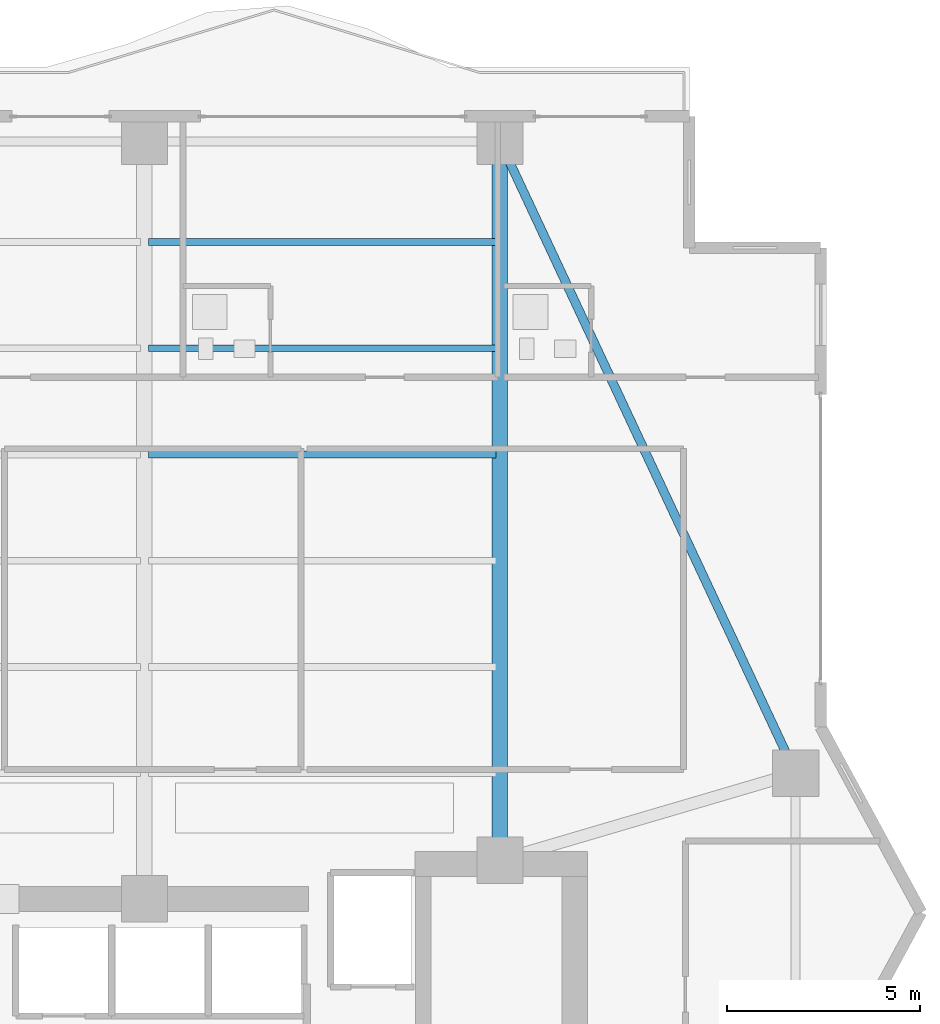
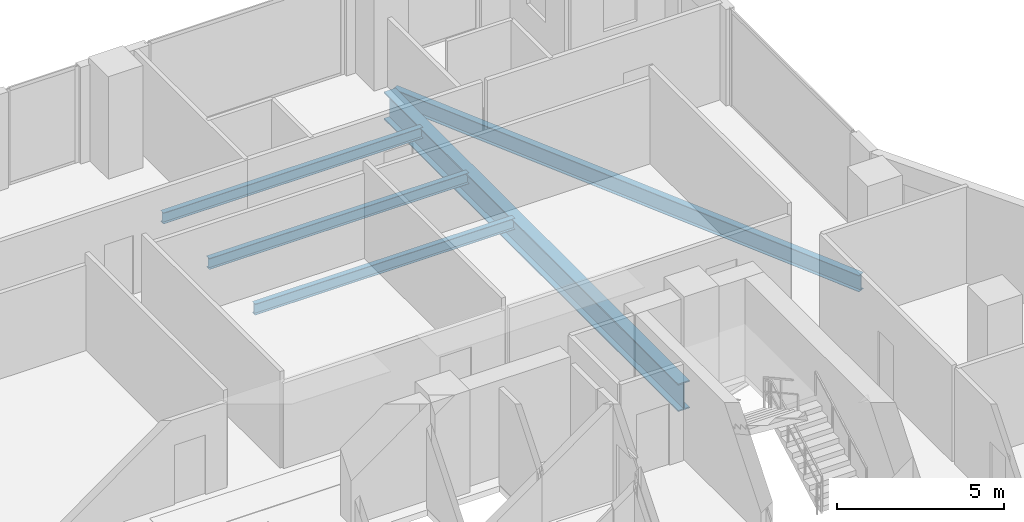
# One storey, part 20 of 32: 5 beams.
"""IFC4 building model written with IfcOpenShell, lengths in metres."""

from ifc_helpers import new_model, si_unit, direction, frame, origin, origin_2d, place, context, subcontext, project, spatial, i_section, extrude, material, material_profile, profile_set, type_object, element, save


model = new_model("IFC4")

# Units and contexts
model_context = context("Model", 3, precision=1e-05, world=origin(), true_north=direction((0.0, 1.0)))
body_context = subcontext(model_context, "Body", "Model", "MODEL_VIEW")
ifc_project = project(units=[si_unit("LENGTHUNIT", "METRE"), si_unit("AREAUNIT", "SQUARE_METRE"), si_unit("VOLUMEUNIT", "CUBIC_METRE"), si_unit("PLANEANGLEUNIT", "RADIAN"), si_unit("MASSUNIT", "GRAM", prefix="KILO")], contexts=[model_context])

# Site, building, storey
site_placement = place(None, origin())
site = spatial("IfcSite", under=ifc_project, at=site_placement, CompositionType="ELEMENT")
building_placement = place(site_placement, origin())
building = spatial("IfcBuilding", under=site, at=building_placement, Name="Zuhayl Quay Hotel", CompositionType="ELEMENT")
storey_placement = place(building_placement, frame((0.0, 0.0, 192.39990234375)))
storey = spatial("IfcBuildingStorey", under=building, at=storey_placement, Name="L48", CompositionType="ELEMENT", Elevation=192.39990234375)

# Beams
ifc_material = material(Name="Steel ASTM A992 Grade 50", Category="steel")
ifc_material_profile_1 = material_profile(ifc_material, i_section(OverallWidth=0.22802734375, OverallDepth=0.60693359375, WebThickness=0.01123046875, FlangeThickness=0.017333984375, at=origin_2d()), Name="W24X76")
ifc_profile_set_1 = profile_set([ifc_material_profile_1], Name="Steel ASTM A992 Grade 50")
beam_type_1 = type_object("IfcBeamType", Name="BM_B3_W24X76", PredefinedType="BEAM", material=ifc_profile_set_1)
beam_1_placement = place(storey_placement, frame((21.238037109375, 17.052978515625, -0.5234375), z_axis=(-0.423792164429, 0.905759461098, 0.0), x_axis=(-0.905759461098, -0.423792164429, 0.0)))
element("IfcBeam", 1, at=beam_1_placement, inside=storey, type_object=beam_type_1, Name="L48 Floor Beam RG_L48_06", PredefinedType="BEAM", context=body_context, shape_type="SweptSolid", body=[
    extrude(i_section(OverallWidth=0.22802734375, OverallDepth=0.60693359375, WebThickness=0.01123046875, FlangeThickness=0.017333984375, at=origin_2d()), origin(), (0.0, 0.0, 1.0), 17.051025390625),
])
ifc_material_profile_2 = material_profile(ifc_material, i_section(OverallWidth=0.177978515625, OverallDepth=0.406005859375, WebThickness=0.0078125, FlangeThickness=0.0126953125, at=origin_2d()), Name="W16X40")
ifc_profile_set_2 = profile_set([ifc_material_profile_2], Name="Steel ASTM A992 Grade 50")
beam_type_2 = type_object("IfcBeamType", Name="BM_J2B_W16X40", PredefinedType="JOIST", material=ifc_profile_set_2)
for number, where, z_axis, x_axis, name in (
    (2, (4.7060546875, 24.85009765625, -0.4228515625), (1.0, 0.0, 0.0), (0.0, 1.0, 0.0), "L48 Floor Beam FJ_L48_4_3"),
    (3, (4.7060546875, 27.60009765625, -0.4228515625), (1.0, 0.0, 0.0), (0.0, 1.0, 0.0), "L48 Floor Beam FJ_L48_5_3"),
    (4, (4.7060546875, 30.35009765625, -0.4228515625), (1.0, 0.0, 0.0), (0.0, 1.0, 0.0), "L48 Floor Beam FJ_L48_6_3"),
):
    element("IfcBeam", number, at=place(storey_placement, frame(where, z_axis=z_axis, x_axis=x_axis)), inside=storey, type_object=beam_type_2, Name=name, PredefinedType="JOIST", context=body_context, shape_type="SweptSolid", body=[
        extrude(i_section(OverallWidth=0.177978515625, OverallDepth=0.406005859375, WebThickness=0.0078125, FlangeThickness=0.0126953125, at=origin_2d()), origin(), (0.0, 0.0, 1.0), 8.988037109375),
    ])
ifc_material_profile_3 = material_profile(ifc_material, i_section(OverallWidth=0.40087890625, OverallDepth=1.010986328125, WebThickness=0.023681640625, FlangeThickness=0.0419921875, at=origin_2d()), Name="W40X297")
ifc_profile_set_3 = profile_set([ifc_material_profile_3], Name="Steel ASTM A992 Grade 50")
beam_type_3 = type_object("IfcBeamType", Name="BM_TG2_W40X297", PredefinedType="BEAM", material=ifc_profile_set_3)
beam_2_placement = place(storey_placement, frame((13.800048828125, 14.800048828125, -0.725341796875), z_axis=(0.0, 1.0, 0.0), x_axis=(-1.0, 0.0, 0.0)))
element("IfcBeam", 5, at=beam_2_placement, inside=storey, type_object=beam_type_3, Name="L48 Floor Beam FG_N_L48_4", PredefinedType="BEAM", context=body_context, shape_type="SweptSolid", body=[
    extrude(i_section(OverallWidth=0.40087890625, OverallDepth=1.010986328125, WebThickness=0.023681640625, FlangeThickness=0.0419921875, at=origin_2d()), origin(), (0.0, 0.0, 1.0), 17.64990234375),
])

save(model, "model.ifc")
